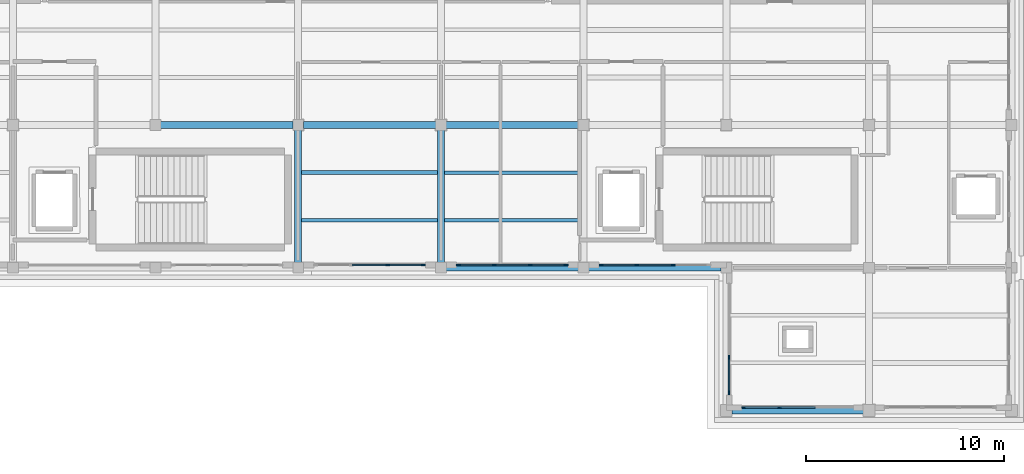
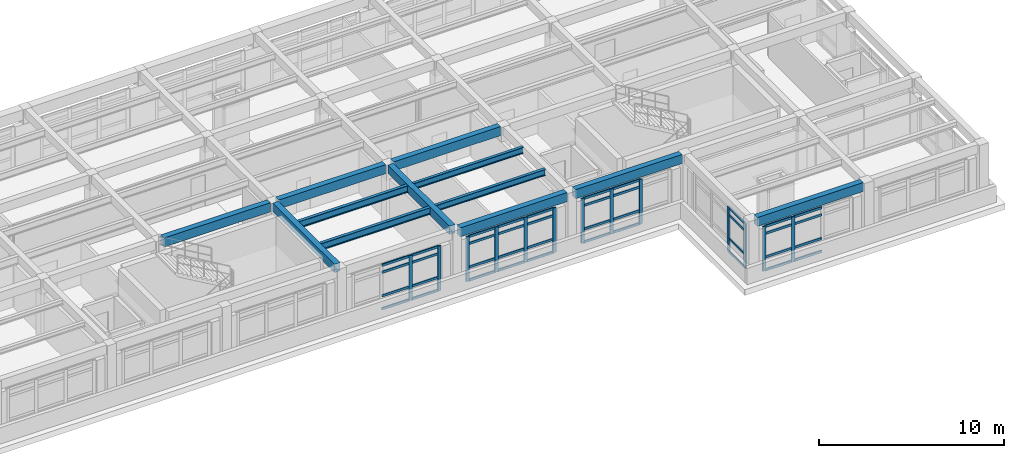
# One storey, part 5 of 21: 53 members, 12 beams, 5 elements without a shape of their own.
"""IFC4 building model written with IfcOpenShell, lengths in metres."""

from ifc_helpers import new_model, si_unit, direction, frame, origin, origin_2d, place, context, subcontext, project, spatial, rectangle, i_section, extrude, material, layer, layer_set, material_profile, profile_set, type_object, element, aggregate, save


model = new_model("IFC4")

# Units and contexts
model_context = context("Model", 3, precision=1e-05, world=origin(), true_north=direction((0.0, 1.0)))
body_context = subcontext(model_context, "Body", "Model", "MODEL_VIEW")
ifc_project = project(units=[si_unit("LENGTHUNIT", "METRE"), si_unit("AREAUNIT", "SQUARE_METRE"), si_unit("VOLUMEUNIT", "CUBIC_METRE"), si_unit("PLANEANGLEUNIT", "RADIAN"), si_unit("MASSUNIT", "GRAM", prefix="KILO")], contexts=[model_context])

# Site, building, storey
site_placement = place(None, origin())
site = spatial("IfcSite", under=ifc_project, at=site_placement, CompositionType="ELEMENT")
building_placement = place(site_placement, origin())
building = spatial("IfcBuilding", under=site, at=building_placement, Name="Solenvale Faculty of Natural Sciences", CompositionType="ELEMENT")
storey_placement = place(building_placement, frame((0.0, 0.0, 31.199951171875)))
storey = spatial("IfcBuildingStorey", under=building, at=storey_placement, Name="L07", CompositionType="ELEMENT", Elevation=31.199951171875)

# Beams
ifc_material_1 = material(Name="Concrete 40 MPa", Category="concrete")
ifc_material_profile_1 = material_profile(ifc_material_1, rectangle(XDim=0.35009765625, YDim=0.550048828125, at=origin_2d()), Name="RC-BM-350x550")
ifc_profile_set_1 = profile_set([ifc_material_profile_1], Name="Concrete 40 MPa")
beam_type_1 = type_object("IfcBeamType", Name="BM-RC-350x550", PredefinedType="BEAM", material=ifc_profile_set_1)
for number, where, z_axis, x_axis, name in (
    (1, (115.199951171875, 93.85498046875, 3.64501953125), (0.0, 1.0, 0.0), (-1.0, 0.0, 0.0), "L07 Y-Girder X115.2 (93.6..100.8)"),
    (2, (122.39990234375, 93.85498046875, 3.64501953125), (0.0, 1.0, 0.0), (-1.0, 0.0, 0.0), "L07 Y-Girder X122.4 (93.6..100.8)"),
):
    element("IfcBeam", number, at=place(storey_placement, frame(where, z_axis=z_axis, x_axis=x_axis)), inside=storey, type_object=beam_type_1, Name=name, PredefinedType="BEAM", context=body_context, shape_type="SweptSolid", body=[
        extrude(rectangle(XDim=0.35009765625, YDim=0.550048828125, at=origin_2d()), origin(), (0.0, 0.0, 1.0), 6.68994140625),
    ])
ifc_material_profile_2 = material_profile(ifc_material_1, rectangle(XDim=0.35009765625, YDim=0.60009765625, at=origin_2d()), Name="RC-BM-350x600")
ifc_profile_set_2 = profile_set([ifc_material_profile_2], Name="Concrete 40 MPa")
beam_type_2 = type_object("IfcBeamType", Name="BM-RC-350x600", PredefinedType="BEAM", material=ifc_profile_set_2)
beam_1_placement = place(storey_placement, frame((137.080078125, 86.39990234375, 3.6201171875), z_axis=(1.0, 0.0, 0.0), x_axis=(0.0, 1.0, 0.0)))
element("IfcBeam", 3, at=beam_1_placement, inside=storey, type_object=beam_type_2, Name="L07 X-Girder Y86.4 (136.8..144.0)", PredefinedType="BEAM", context=body_context, shape_type="SweptSolid", body=[
    extrude(rectangle(XDim=0.35009765625, YDim=0.60009765625, at=origin_2d()), origin(), (0.0, 0.0, 1.0), 6.639892578125),
])
for number, where, z_axis, x_axis, name in (
    (4, (122.655029296875, 93.60009765625, 3.6201171875), (1.0, 0.0, 0.0), (0.0, 1.0, 0.0), "L07 X-Girder Y93.6 (122.4..129.6)"),
    (5, (129.85498046875, 93.60009765625, 3.6201171875), (1.0, 0.0, 0.0), (0.0, 1.0, 0.0), "L07 X-Girder Y93.6 (129.6..136.8)"),
):
    element("IfcBeam", number, at=place(storey_placement, frame(where, z_axis=z_axis, x_axis=x_axis)), inside=storey, type_object=beam_type_2, Name=name, PredefinedType="BEAM", context=body_context, shape_type="SweptSolid", body=[
        extrude(rectangle(XDim=0.35009765625, YDim=0.60009765625, at=origin_2d()), origin(), (0.0, 0.0, 1.0), 6.68994140625),
    ])
beam_2_placement = place(storey_placement, frame((108.2548828125, 100.800048828125, 3.6201171875), z_axis=(1.0, 0.0, 0.0), x_axis=(0.0, 1.0, 0.0)))
element("IfcBeam", 6, at=beam_2_placement, inside=storey, type_object=beam_type_2, Name="L07 X-Girder Y100.8 (108.0..115.2)", PredefinedType="BEAM", context=body_context, shape_type="SweptSolid", body=[
    extrude(rectangle(XDim=0.35009765625, YDim=0.60009765625, at=origin_2d()), origin(), (0.0, 0.0, 1.0), 6.690185546875),
])
for number, where, z_axis, x_axis, name in (
    (7, (115.455078125, 100.800048828125, 3.6201171875), (1.0, 0.0, 0.0), (0.0, 1.0, 0.0), "L07 X-Girder Y100.8 (115.2..122.4)"),
    (8, (122.655029296875, 100.800048828125, 3.6201171875), (1.0, 0.0, 0.0), (0.0, 1.0, 0.0), "L07 X-Girder Y100.8 (122.4..129.6)"),
):
    element("IfcBeam", number, at=place(storey_placement, frame(where, z_axis=z_axis, x_axis=x_axis)), inside=storey, type_object=beam_type_2, Name=name, PredefinedType="BEAM", context=body_context, shape_type="SweptSolid", body=[
        extrude(rectangle(XDim=0.35009765625, YDim=0.60009765625, at=origin_2d()), origin(), (0.0, 0.0, 1.0), 6.68994140625),
    ])
ifc_material_2 = material(Name="Steel S355", Category="steel")
ifc_material_profile_3 = material_profile(ifc_material_2, i_section(OverallWidth=0.180908203125, OverallDepth=0.4169921875, WebThickness=0.010986328125, FlangeThickness=0.018310546875, FilletRadius=0.01611328125, at=origin_2d()), Name="W410x85")
ifc_profile_set_3 = profile_set([ifc_material_profile_3], Name="Steel S355")
beam_type_3 = type_object("IfcBeamType", Name="BM-STL-W410x85", PredefinedType="JOIST", material=ifc_profile_set_3)
for number, where, z_axis, x_axis, name in (
    (9, (122.554931640625, 96.0, 3.711669921875), (1.0, 0.0, 0.0), (0.0, 1.0, 0.0), "L07 Composite Floor Joist (18,14).1"),
    (10, (122.554931640625, 98.39990234375, 3.711669921875), (1.0, 0.0, 0.0), (0.0, 1.0, 0.0), "L07 Composite Floor Joist (18,14).2"),
):
    element("IfcBeam", number, at=place(storey_placement, frame(where, z_axis=z_axis, x_axis=x_axis)), inside=storey, type_object=beam_type_3, Name=name, PredefinedType="JOIST", context=body_context, shape_type="SweptSolid", body=[
        extrude(i_section(OverallWidth=0.180908203125, OverallDepth=0.4169921875, WebThickness=0.010986328125, FlangeThickness=0.018310546875, FilletRadius=0.01611328125, at=origin_2d()), origin(), (0.0, 0.0, 1.0), 6.89013671875),
    ])
ifc_material_profile_4 = material_profile(ifc_material_2, i_section(OverallWidth=0.19091796875, OverallDepth=0.4599609375, WebThickness=0.010009765625, FlangeThickness=0.01611328125, FilletRadius=0.01806640625, at=origin_2d()), Name="W460x82")
ifc_profile_set_4 = profile_set([ifc_material_profile_4], Name="Steel S355")
beam_type_4 = type_object("IfcBeamType", Name="BM-STL-W460x82", PredefinedType="JOIST", material=ifc_profile_set_4)
for number, where, z_axis, x_axis, name in (
    (11, (115.35498046875, 96.0, 3.68994140625), (1.0, 0.0, 0.0), (0.0, 1.0, 0.0), "L07 Composite Floor Joist (17,14).1"),
    (12, (115.35498046875, 98.39990234375, 3.68994140625), (1.0, 0.0, 0.0), (0.0, 1.0, 0.0), "L07 Composite Floor Joist (17,14).2"),
):
    element("IfcBeam", number, at=place(storey_placement, frame(where, z_axis=z_axis, x_axis=x_axis)), inside=storey, type_object=beam_type_4, Name=name, PredefinedType="JOIST", context=body_context, shape_type="SweptSolid", body=[
        extrude(i_section(OverallWidth=0.19091796875, OverallDepth=0.4599609375, WebThickness=0.010009765625, FlangeThickness=0.01611328125, FilletRadius=0.01806640625, at=origin_2d()), origin(), (0.0, 0.0, 1.0), 6.89013671875),
    ])

# Curtain wall, members
ifc_material_3 = material(Name="Anodised bronze aluminium", Category="aluminium")
ifc_layer = layer(ifc_material_3, 0.179931640625)
ifc_layer_set = layer_set([ifc_layer], Name="Anodised bronze aluminium")
curtain_wall_type = type_object("IfcCurtainWallType", Name="CW-TWR-MOD", PredefinedType="USERDEFINED", material=ifc_layer_set)
curtain_wall_1_placement = place(storey_placement, origin())
curtain_wall_1 = element("IfcCurtainWall", 13, at=curtain_wall_1_placement, inside=storey, type_object=curtain_wall_type, Name="L07 Curtain Wall CW-L07-P1-E4-B5", ObjectType="UNITISED CURTAIN WALL", PredefinedType="USERDEFINED")
ifc_material_profile_5 = material_profile(ifc_material_3, rectangle(XDim=0.074951171875, YDim=0.2099609375, at=origin_2d()), Name="ALU-MUL-75x210")
ifc_profile_set_5 = profile_set([ifc_material_profile_5], Name="Anodised bronze aluminium")
member_type_1 = type_object("IfcMemberType", Name="CWM-ALU-75x210", PredefinedType="MULLION", material=ifc_profile_set_5)
member_1_placement = place(storey_placement, frame((119.716552734375, 93.742431640625, 0.0), z_axis=(0.0, 0.0, 1.0), x_axis=(0.0, 1.0, 0.0)))
member_1 = element("IfcMember", 14, at=member_1_placement, type_object=member_type_1, Name="CW-04 mullion 3", PredefinedType="MULLION", context=body_context, shape_type="SweptSolid", body=[
    extrude(rectangle(XDim=0.074951171875, YDim=0.2099609375, at=origin_2d()), origin(), (0.0, 0.0, 1.0), 2.9599609375),
])
member_2_placement = place(storey_placement, frame((121.512451171875, 93.742431640625, 0.0), z_axis=(0.0, 0.0, 1.0), x_axis=(0.0, 1.0, 0.0)))
member_2 = element("IfcMember", 15, at=member_2_placement, type_object=member_type_1, Name="CW-04 mullion 4", PredefinedType="MULLION", context=body_context, shape_type="SweptSolid", body=[
    extrude(rectangle(XDim=0.074951171875, YDim=0.2099609375, at=origin_2d()), origin(), (0.0, 0.0, 1.0), 2.9599609375),
])

curtain_wall_2_placement = place(storey_placement, origin())
curtain_wall_2 = element("IfcCurtainWall", 16, at=curtain_wall_2_placement, inside=storey, type_object=curtain_wall_type, Name="L07 Curtain Wall CW-L07-P1-E4-B6", ObjectType="UNITISED CURTAIN WALL", PredefinedType="USERDEFINED")
member_3_placement = place(storey_placement, frame((123.28759765625, 93.742431640625, 0.0), z_axis=(0.0, 0.0, 1.0), x_axis=(0.0, 1.0, 0.0)))
member_3 = element("IfcMember", 17, at=member_3_placement, type_object=member_type_1, Name="CW-04 mullion 1", PredefinedType="MULLION", context=body_context, shape_type="SweptSolid", body=[
    extrude(rectangle(XDim=0.074951171875, YDim=0.2099609375, at=origin_2d()), origin(), (0.0, 0.0, 1.0), 2.9599609375),
])
member_4_placement = place(storey_placement, frame((125.083251953125, 93.742431640625, 0.0), z_axis=(0.0, 0.0, 1.0), x_axis=(0.0, 1.0, 0.0)))
member_4 = element("IfcMember", 18, at=member_4_placement, type_object=member_type_1, Name="CW-04 mullion 2", PredefinedType="MULLION", context=body_context, shape_type="SweptSolid", body=[
    extrude(rectangle(XDim=0.074951171875, YDim=0.2099609375, at=origin_2d()), origin(), (0.0, 0.0, 1.0), 2.9599609375),
])
member_5_placement = place(storey_placement, frame((126.916748046875, 93.742431640625, 0.0), z_axis=(0.0, 0.0, 1.0), x_axis=(0.0, 1.0, 0.0)))
member_5 = element("IfcMember", 19, at=member_5_placement, type_object=member_type_1, Name="CW-04 mullion 3", PredefinedType="MULLION", context=body_context, shape_type="SweptSolid", body=[
    extrude(rectangle(XDim=0.074951171875, YDim=0.2099609375, at=origin_2d()), origin(), (0.0, 0.0, 1.0), 2.9599609375),
])
member_6_placement = place(storey_placement, frame((128.71240234375, 93.742431640625, 0.0), z_axis=(0.0, 0.0, 1.0), x_axis=(0.0, 1.0, 0.0)))
member_6 = element("IfcMember", 20, at=member_6_placement, type_object=member_type_1, Name="CW-04 mullion 4", PredefinedType="MULLION", context=body_context, shape_type="SweptSolid", body=[
    extrude(rectangle(XDim=0.074951171875, YDim=0.2099609375, at=origin_2d()), origin(), (0.0, 0.0, 1.0), 2.9599609375),
])

curtain_wall_3_placement = place(storey_placement, origin())
curtain_wall_3 = element("IfcCurtainWall", 21, at=curtain_wall_3_placement, inside=storey, type_object=curtain_wall_type, Name="L07 Curtain Wall CW-L07-P1-E4-B7", ObjectType="UNITISED CURTAIN WALL", PredefinedType="USERDEFINED")
member_7_placement = place(storey_placement, frame((130.487548828125, 93.742431640625, 0.0), z_axis=(0.0, 0.0, 1.0), x_axis=(0.0, 1.0, 0.0)))
member_7 = element("IfcMember", 22, at=member_7_placement, type_object=member_type_1, Name="CW-04 mullion 1", PredefinedType="MULLION", context=body_context, shape_type="SweptSolid", body=[
    extrude(rectangle(XDim=0.074951171875, YDim=0.2099609375, at=origin_2d()), origin(), (0.0, 0.0, 1.0), 2.9599609375),
])
member_8_placement = place(storey_placement, frame((132.283447265625, 93.742431640625, 0.0), z_axis=(0.0, 0.0, 1.0), x_axis=(0.0, 1.0, 0.0)))
member_8 = element("IfcMember", 23, at=member_8_placement, type_object=member_type_1, Name="CW-04 mullion 2", PredefinedType="MULLION", context=body_context, shape_type="SweptSolid", body=[
    extrude(rectangle(XDim=0.074951171875, YDim=0.2099609375, at=origin_2d()), origin(), (0.0, 0.0, 1.0), 2.9599609375),
])
member_9_placement = place(storey_placement, frame((134.11669921875, 93.742431640625, 0.0), z_axis=(0.0, 0.0, 1.0), x_axis=(0.0, 1.0, 0.0)))
member_9 = element("IfcMember", 24, at=member_9_placement, type_object=member_type_1, Name="CW-04 mullion 3", PredefinedType="MULLION", context=body_context, shape_type="SweptSolid", body=[
    extrude(rectangle(XDim=0.074951171875, YDim=0.2099609375, at=origin_2d()), origin(), (0.0, 0.0, 1.0), 2.9599609375),
])

curtain_wall_4_placement = place(storey_placement, origin())
curtain_wall_4 = element("IfcCurtainWall", 25, at=curtain_wall_4_placement, inside=storey, type_object=curtain_wall_type, Name="L07 Curtain Wall CW-L07-P1-E5-B1", ObjectType="UNITISED CURTAIN WALL", PredefinedType="USERDEFINED")
member_10_placement = place(storey_placement, frame((136.9423828125, 89.083251953125, 0.0), z_axis=(0.0, 0.0, 1.0), x_axis=(1.0, 0.0, 0.0)))
member_10 = element("IfcMember", 26, at=member_10_placement, type_object=member_type_1, Name="CW-04 mullion 3", PredefinedType="MULLION", context=body_context, shape_type="SweptSolid", body=[
    extrude(rectangle(XDim=0.074951171875, YDim=0.2099609375, at=origin_2d()), origin(), (0.0, 0.0, 1.0), 2.9599609375),
])
member_11_placement = place(storey_placement, frame((136.9423828125, 87.28759765625, 0.0), z_axis=(0.0, 0.0, 1.0), x_axis=(1.0, 0.0, 0.0)))
member_11 = element("IfcMember", 27, at=member_11_placement, type_object=member_type_1, Name="CW-04 mullion 4", PredefinedType="MULLION", context=body_context, shape_type="SweptSolid", body=[
    extrude(rectangle(XDim=0.074951171875, YDim=0.2099609375, at=origin_2d()), origin(), (0.0, 0.0, 1.0), 2.9599609375),
])

curtain_wall_5_placement = place(storey_placement, origin())
curtain_wall_5 = element("IfcCurtainWall", 28, at=curtain_wall_5_placement, inside=storey, type_object=curtain_wall_type, Name="L07 Curtain Wall CW-L07-P1-E6-B1", ObjectType="UNITISED CURTAIN WALL", PredefinedType="USERDEFINED")
member_12_placement = place(storey_placement, frame((137.6875, 86.54248046875, 0.0), z_axis=(0.0, 0.0, 1.0), x_axis=(0.0, 1.0, 0.0)))
member_12 = element("IfcMember", 29, at=member_12_placement, type_object=member_type_1, Name="CW-04 mullion 1", PredefinedType="MULLION", context=body_context, shape_type="SweptSolid", body=[
    extrude(rectangle(XDim=0.074951171875, YDim=0.2099609375, at=origin_2d()), origin(), (0.0, 0.0, 1.0), 2.9599609375),
])
member_13_placement = place(storey_placement, frame((139.4833984375, 86.54248046875, 0.0), z_axis=(0.0, 0.0, 1.0), x_axis=(0.0, 1.0, 0.0)))
member_13 = element("IfcMember", 30, at=member_13_placement, type_object=member_type_1, Name="CW-04 mullion 2", PredefinedType="MULLION", context=body_context, shape_type="SweptSolid", body=[
    extrude(rectangle(XDim=0.074951171875, YDim=0.2099609375, at=origin_2d()), origin(), (0.0, 0.0, 1.0), 2.9599609375),
])

# Member
ifc_material_profile_6 = material_profile(ifc_material_3, rectangle(XDim=0.074951171875, YDim=0.155029296875, at=origin_2d()), Name="ALU-TRN-75x155")
ifc_profile_set_6 = profile_set([ifc_material_profile_6], Name="Anodised bronze aluminium")
member_type_2 = type_object("IfcMemberType", Name="CWT-ALU-75x155", PredefinedType="USERDEFINED", material=ifc_profile_set_6)
member_14_placement = place(storey_placement, frame((117.9208984375, 93.742431640625, 0.03759765625), z_axis=(1.0, 0.0, 0.0), x_axis=(0.0, 1.0, 0.0)))
member_14 = element("IfcMember", 31, at=member_14_placement, type_object=member_type_2, Name="CW-04 transom 2.1", ObjectType="TRANSOM", PredefinedType="USERDEFINED", context=body_context, shape_type="SweptSolid", body=[
    extrude(rectangle(XDim=0.074951171875, YDim=0.155029296875, at=origin_2d()), origin(), (0.0, 0.0, 1.0), 1.75830078125),
])

member_15_placement = place(storey_placement, frame((117.9208984375, 93.742431640625, 0.900146484375), z_axis=(1.0, 0.0, 0.0), x_axis=(0.0, 1.0, 0.0)))
member_15 = element("IfcMember", 32, at=member_15_placement, type_object=member_type_2, Name="CW-04 transom 2.2", ObjectType="TRANSOM", PredefinedType="USERDEFINED", context=body_context, shape_type="SweptSolid", body=[
    extrude(rectangle(XDim=0.074951171875, YDim=0.155029296875, at=origin_2d()), origin(), (0.0, 0.0, 1.0), 1.75830078125),
])

member_16_placement = place(storey_placement, frame((117.9208984375, 93.742431640625, 2.4599609375), z_axis=(1.0, 0.0, 0.0), x_axis=(0.0, 1.0, 0.0)))
member_16 = element("IfcMember", 33, at=member_16_placement, type_object=member_type_2, Name="CW-04 transom 2.3", ObjectType="TRANSOM", PredefinedType="USERDEFINED", context=body_context, shape_type="SweptSolid", body=[
    extrude(rectangle(XDim=0.074951171875, YDim=0.155029296875, at=origin_2d()), origin(), (0.0, 0.0, 1.0), 1.75830078125),
])

member_17_placement = place(storey_placement, frame((117.9208984375, 93.742431640625, 2.922607421875), z_axis=(1.0, 0.0, 0.0), x_axis=(0.0, 1.0, 0.0)))
member_17 = element("IfcMember", 34, at=member_17_placement, type_object=member_type_2, Name="CW-04 transom 2.4", ObjectType="TRANSOM", PredefinedType="USERDEFINED", context=body_context, shape_type="SweptSolid", body=[
    extrude(rectangle(XDim=0.074951171875, YDim=0.155029296875, at=origin_2d()), origin(), (0.0, 0.0, 1.0), 1.75830078125),
])

member_18_placement = place(storey_placement, frame((119.754150390625, 93.742431640625, 0.03759765625), z_axis=(1.0, 0.0, 0.0), x_axis=(0.0, 1.0, 0.0)))
member_18 = element("IfcMember", 35, at=member_18_placement, type_object=member_type_2, Name="CW-04 transom 3.1", ObjectType="TRANSOM", PredefinedType="USERDEFINED", context=body_context, shape_type="SweptSolid", body=[
    extrude(rectangle(XDim=0.074951171875, YDim=0.155029296875, at=origin_2d()), origin(), (0.0, 0.0, 1.0), 1.720947265625),
])

member_19_placement = place(storey_placement, frame((119.754150390625, 93.742431640625, 0.900146484375), z_axis=(1.0, 0.0, 0.0), x_axis=(0.0, 1.0, 0.0)))
member_19 = element("IfcMember", 36, at=member_19_placement, type_object=member_type_2, Name="CW-04 transom 3.2", ObjectType="TRANSOM", PredefinedType="USERDEFINED", context=body_context, shape_type="SweptSolid", body=[
    extrude(rectangle(XDim=0.074951171875, YDim=0.155029296875, at=origin_2d()), origin(), (0.0, 0.0, 1.0), 1.720947265625),
])

member_20_placement = place(storey_placement, frame((119.754150390625, 93.742431640625, 2.4599609375), z_axis=(1.0, 0.0, 0.0), x_axis=(0.0, 1.0, 0.0)))
member_20 = element("IfcMember", 37, at=member_20_placement, type_object=member_type_2, Name="CW-04 transom 3.3", ObjectType="TRANSOM", PredefinedType="USERDEFINED", context=body_context, shape_type="SweptSolid", body=[
    extrude(rectangle(XDim=0.074951171875, YDim=0.155029296875, at=origin_2d()), origin(), (0.0, 0.0, 1.0), 1.720947265625),
])

member_21_placement = place(storey_placement, frame((119.754150390625, 93.742431640625, 2.922607421875), z_axis=(1.0, 0.0, 0.0), x_axis=(0.0, 1.0, 0.0)))
member_21 = element("IfcMember", 38, at=member_21_placement, type_object=member_type_2, Name="CW-04 transom 3.4", ObjectType="TRANSOM", PredefinedType="USERDEFINED", context=body_context, shape_type="SweptSolid", body=[
    extrude(rectangle(XDim=0.074951171875, YDim=0.155029296875, at=origin_2d()), origin(), (0.0, 0.0, 1.0), 1.720947265625),
])

aggregate(curtain_wall_1, [member_1, member_2, member_14, member_15, member_16, member_17, member_18, member_19, member_20, member_21])

member_22_placement = place(storey_placement, frame((123.324951171875, 93.742431640625, 0.03759765625), z_axis=(1.0, 0.0, 0.0), x_axis=(0.0, 1.0, 0.0)))
member_22 = element("IfcMember", 39, at=member_22_placement, type_object=member_type_2, Name="CW-04 transom 1.1", ObjectType="TRANSOM", PredefinedType="USERDEFINED", context=body_context, shape_type="SweptSolid", body=[
    extrude(rectangle(XDim=0.074951171875, YDim=0.155029296875, at=origin_2d()), origin(), (0.0, 0.0, 1.0), 1.720947265625),
])

member_23_placement = place(storey_placement, frame((123.324951171875, 93.742431640625, 0.900146484375), z_axis=(1.0, 0.0, 0.0), x_axis=(0.0, 1.0, 0.0)))
member_23 = element("IfcMember", 40, at=member_23_placement, type_object=member_type_2, Name="CW-04 transom 1.2", ObjectType="TRANSOM", PredefinedType="USERDEFINED", context=body_context, shape_type="SweptSolid", body=[
    extrude(rectangle(XDim=0.074951171875, YDim=0.155029296875, at=origin_2d()), origin(), (0.0, 0.0, 1.0), 1.720947265625),
])

member_24_placement = place(storey_placement, frame((123.324951171875, 93.742431640625, 2.4599609375), z_axis=(1.0, 0.0, 0.0), x_axis=(0.0, 1.0, 0.0)))
member_24 = element("IfcMember", 41, at=member_24_placement, type_object=member_type_2, Name="CW-04 transom 1.3", ObjectType="TRANSOM", PredefinedType="USERDEFINED", context=body_context, shape_type="SweptSolid", body=[
    extrude(rectangle(XDim=0.074951171875, YDim=0.155029296875, at=origin_2d()), origin(), (0.0, 0.0, 1.0), 1.720947265625),
])

member_25_placement = place(storey_placement, frame((123.324951171875, 93.742431640625, 2.922607421875), z_axis=(1.0, 0.0, 0.0), x_axis=(0.0, 1.0, 0.0)))
member_25 = element("IfcMember", 42, at=member_25_placement, type_object=member_type_2, Name="CW-04 transom 1.4", ObjectType="TRANSOM", PredefinedType="USERDEFINED", context=body_context, shape_type="SweptSolid", body=[
    extrude(rectangle(XDim=0.074951171875, YDim=0.155029296875, at=origin_2d()), origin(), (0.0, 0.0, 1.0), 1.720947265625),
])

member_26_placement = place(storey_placement, frame((125.120849609375, 93.742431640625, 0.03759765625), z_axis=(1.0, 0.0, 0.0), x_axis=(0.0, 1.0, 0.0)))
member_26 = element("IfcMember", 43, at=member_26_placement, type_object=member_type_2, Name="CW-04 transom 2.1", ObjectType="TRANSOM", PredefinedType="USERDEFINED", context=body_context, shape_type="SweptSolid", body=[
    extrude(rectangle(XDim=0.074951171875, YDim=0.155029296875, at=origin_2d()), origin(), (0.0, 0.0, 1.0), 1.75830078125),
])

member_27_placement = place(storey_placement, frame((125.120849609375, 93.742431640625, 0.900146484375), z_axis=(1.0, 0.0, 0.0), x_axis=(0.0, 1.0, 0.0)))
member_27 = element("IfcMember", 44, at=member_27_placement, type_object=member_type_2, Name="CW-04 transom 2.2", ObjectType="TRANSOM", PredefinedType="USERDEFINED", context=body_context, shape_type="SweptSolid", body=[
    extrude(rectangle(XDim=0.074951171875, YDim=0.155029296875, at=origin_2d()), origin(), (0.0, 0.0, 1.0), 1.75830078125),
])

member_28_placement = place(storey_placement, frame((125.120849609375, 93.742431640625, 2.4599609375), z_axis=(1.0, 0.0, 0.0), x_axis=(0.0, 1.0, 0.0)))
member_28 = element("IfcMember", 45, at=member_28_placement, type_object=member_type_2, Name="CW-04 transom 2.3", ObjectType="TRANSOM", PredefinedType="USERDEFINED", context=body_context, shape_type="SweptSolid", body=[
    extrude(rectangle(XDim=0.074951171875, YDim=0.155029296875, at=origin_2d()), origin(), (0.0, 0.0, 1.0), 1.75830078125),
])

member_29_placement = place(storey_placement, frame((125.120849609375, 93.742431640625, 2.922607421875), z_axis=(1.0, 0.0, 0.0), x_axis=(0.0, 1.0, 0.0)))
member_29 = element("IfcMember", 46, at=member_29_placement, type_object=member_type_2, Name="CW-04 transom 2.4", ObjectType="TRANSOM", PredefinedType="USERDEFINED", context=body_context, shape_type="SweptSolid", body=[
    extrude(rectangle(XDim=0.074951171875, YDim=0.155029296875, at=origin_2d()), origin(), (0.0, 0.0, 1.0), 1.75830078125),
])

member_30_placement = place(storey_placement, frame((126.9541015625, 93.742431640625, 0.03759765625), z_axis=(1.0, 0.0, 0.0), x_axis=(0.0, 1.0, 0.0)))
member_30 = element("IfcMember", 47, at=member_30_placement, type_object=member_type_2, Name="CW-04 transom 3.1", ObjectType="TRANSOM", PredefinedType="USERDEFINED", context=body_context, shape_type="SweptSolid", body=[
    extrude(rectangle(XDim=0.074951171875, YDim=0.155029296875, at=origin_2d()), origin(), (0.0, 0.0, 1.0), 1.720947265625),
])

member_31_placement = place(storey_placement, frame((126.9541015625, 93.742431640625, 0.900146484375), z_axis=(1.0, 0.0, 0.0), x_axis=(0.0, 1.0, 0.0)))
member_31 = element("IfcMember", 48, at=member_31_placement, type_object=member_type_2, Name="CW-04 transom 3.2", ObjectType="TRANSOM", PredefinedType="USERDEFINED", context=body_context, shape_type="SweptSolid", body=[
    extrude(rectangle(XDim=0.074951171875, YDim=0.155029296875, at=origin_2d()), origin(), (0.0, 0.0, 1.0), 1.720947265625),
])

member_32_placement = place(storey_placement, frame((126.9541015625, 93.742431640625, 2.4599609375), z_axis=(1.0, 0.0, 0.0), x_axis=(0.0, 1.0, 0.0)))
member_32 = element("IfcMember", 49, at=member_32_placement, type_object=member_type_2, Name="CW-04 transom 3.3", ObjectType="TRANSOM", PredefinedType="USERDEFINED", context=body_context, shape_type="SweptSolid", body=[
    extrude(rectangle(XDim=0.074951171875, YDim=0.155029296875, at=origin_2d()), origin(), (0.0, 0.0, 1.0), 1.720947265625),
])

member_33_placement = place(storey_placement, frame((126.9541015625, 93.742431640625, 2.922607421875), z_axis=(1.0, 0.0, 0.0), x_axis=(0.0, 1.0, 0.0)))
member_33 = element("IfcMember", 50, at=member_33_placement, type_object=member_type_2, Name="CW-04 transom 3.4", ObjectType="TRANSOM", PredefinedType="USERDEFINED", context=body_context, shape_type="SweptSolid", body=[
    extrude(rectangle(XDim=0.074951171875, YDim=0.155029296875, at=origin_2d()), origin(), (0.0, 0.0, 1.0), 1.720947265625),
])

aggregate(curtain_wall_2, [member_3, member_4, member_5, member_6, member_22, member_23, member_24, member_25, member_26, member_27, member_28, member_29, member_30, member_31, member_32, member_33])

member_34_placement = place(storey_placement, frame((130.52490234375, 93.742431640625, 0.03759765625), z_axis=(1.0, 0.0, 0.0), x_axis=(0.0, 1.0, 0.0)))
member_34 = element("IfcMember", 51, at=member_34_placement, type_object=member_type_2, Name="CW-04 transom 1.1", ObjectType="TRANSOM", PredefinedType="USERDEFINED", context=body_context, shape_type="SweptSolid", body=[
    extrude(rectangle(XDim=0.074951171875, YDim=0.155029296875, at=origin_2d()), origin(), (0.0, 0.0, 1.0), 1.720947265625),
])

member_35_placement = place(storey_placement, frame((130.52490234375, 93.742431640625, 0.900146484375), z_axis=(1.0, 0.0, 0.0), x_axis=(0.0, 1.0, 0.0)))
member_35 = element("IfcMember", 52, at=member_35_placement, type_object=member_type_2, Name="CW-04 transom 1.2", ObjectType="TRANSOM", PredefinedType="USERDEFINED", context=body_context, shape_type="SweptSolid", body=[
    extrude(rectangle(XDim=0.074951171875, YDim=0.155029296875, at=origin_2d()), origin(), (0.0, 0.0, 1.0), 1.720947265625),
])

member_36_placement = place(storey_placement, frame((130.52490234375, 93.742431640625, 2.4599609375), z_axis=(1.0, 0.0, 0.0), x_axis=(0.0, 1.0, 0.0)))
member_36 = element("IfcMember", 53, at=member_36_placement, type_object=member_type_2, Name="CW-04 transom 1.3", ObjectType="TRANSOM", PredefinedType="USERDEFINED", context=body_context, shape_type="SweptSolid", body=[
    extrude(rectangle(XDim=0.074951171875, YDim=0.155029296875, at=origin_2d()), origin(), (0.0, 0.0, 1.0), 1.720947265625),
])

member_37_placement = place(storey_placement, frame((130.52490234375, 93.742431640625, 2.922607421875), z_axis=(1.0, 0.0, 0.0), x_axis=(0.0, 1.0, 0.0)))
member_37 = element("IfcMember", 54, at=member_37_placement, type_object=member_type_2, Name="CW-04 transom 1.4", ObjectType="TRANSOM", PredefinedType="USERDEFINED", context=body_context, shape_type="SweptSolid", body=[
    extrude(rectangle(XDim=0.074951171875, YDim=0.155029296875, at=origin_2d()), origin(), (0.0, 0.0, 1.0), 1.720947265625),
])

member_38_placement = place(storey_placement, frame((132.32080078125, 93.742431640625, 0.03759765625), z_axis=(1.0, 0.0, 0.0), x_axis=(0.0, 1.0, 0.0)))
member_38 = element("IfcMember", 55, at=member_38_placement, type_object=member_type_2, Name="CW-04 transom 2.1", ObjectType="TRANSOM", PredefinedType="USERDEFINED", context=body_context, shape_type="SweptSolid", body=[
    extrude(rectangle(XDim=0.074951171875, YDim=0.155029296875, at=origin_2d()), origin(), (0.0, 0.0, 1.0), 1.75830078125),
])

member_39_placement = place(storey_placement, frame((132.32080078125, 93.742431640625, 0.900146484375), z_axis=(1.0, 0.0, 0.0), x_axis=(0.0, 1.0, 0.0)))
member_39 = element("IfcMember", 56, at=member_39_placement, type_object=member_type_2, Name="CW-04 transom 2.2", ObjectType="TRANSOM", PredefinedType="USERDEFINED", context=body_context, shape_type="SweptSolid", body=[
    extrude(rectangle(XDim=0.074951171875, YDim=0.155029296875, at=origin_2d()), origin(), (0.0, 0.0, 1.0), 1.75830078125),
])

member_40_placement = place(storey_placement, frame((132.32080078125, 93.742431640625, 2.4599609375), z_axis=(1.0, 0.0, 0.0), x_axis=(0.0, 1.0, 0.0)))
member_40 = element("IfcMember", 57, at=member_40_placement, type_object=member_type_2, Name="CW-04 transom 2.3", ObjectType="TRANSOM", PredefinedType="USERDEFINED", context=body_context, shape_type="SweptSolid", body=[
    extrude(rectangle(XDim=0.074951171875, YDim=0.155029296875, at=origin_2d()), origin(), (0.0, 0.0, 1.0), 1.75830078125),
])

member_41_placement = place(storey_placement, frame((132.32080078125, 93.742431640625, 2.922607421875), z_axis=(1.0, 0.0, 0.0), x_axis=(0.0, 1.0, 0.0)))
member_41 = element("IfcMember", 58, at=member_41_placement, type_object=member_type_2, Name="CW-04 transom 2.4", ObjectType="TRANSOM", PredefinedType="USERDEFINED", context=body_context, shape_type="SweptSolid", body=[
    extrude(rectangle(XDim=0.074951171875, YDim=0.155029296875, at=origin_2d()), origin(), (0.0, 0.0, 1.0), 1.75830078125),
])

aggregate(curtain_wall_3, [member_7, member_8, member_9, member_34, member_35, member_36, member_37, member_38, member_39, member_40, member_41])

member_42_placement = place(storey_placement, frame((136.9423828125, 89.0458984375, 0.03759765625), z_axis=(0.0, -1.0, 0.0), x_axis=(1.0, 0.0, 0.0)))
member_42 = element("IfcMember", 59, at=member_42_placement, type_object=member_type_2, Name="CW-04 transom 3.1", ObjectType="TRANSOM", PredefinedType="USERDEFINED", context=body_context, shape_type="SweptSolid", body=[
    extrude(rectangle(XDim=0.074951171875, YDim=0.155029296875, at=origin_2d()), origin(), (0.0, 0.0, 1.0), 1.720947265625),
])

member_43_placement = place(storey_placement, frame((136.9423828125, 89.0458984375, 0.900146484375), z_axis=(0.0, -1.0, 0.0), x_axis=(1.0, 0.0, 0.0)))
member_43 = element("IfcMember", 60, at=member_43_placement, type_object=member_type_2, Name="CW-04 transom 3.2", ObjectType="TRANSOM", PredefinedType="USERDEFINED", context=body_context, shape_type="SweptSolid", body=[
    extrude(rectangle(XDim=0.074951171875, YDim=0.155029296875, at=origin_2d()), origin(), (0.0, 0.0, 1.0), 1.720947265625),
])

member_44_placement = place(storey_placement, frame((136.9423828125, 89.0458984375, 2.4599609375), z_axis=(0.0, -1.0, 0.0), x_axis=(1.0, 0.0, 0.0)))
member_44 = element("IfcMember", 61, at=member_44_placement, type_object=member_type_2, Name="CW-04 transom 3.3", ObjectType="TRANSOM", PredefinedType="USERDEFINED", context=body_context, shape_type="SweptSolid", body=[
    extrude(rectangle(XDim=0.074951171875, YDim=0.155029296875, at=origin_2d()), origin(), (0.0, 0.0, 1.0), 1.720947265625),
])

member_45_placement = place(storey_placement, frame((136.9423828125, 89.0458984375, 2.922607421875), z_axis=(0.0, -1.0, 0.0), x_axis=(1.0, 0.0, 0.0)))
member_45 = element("IfcMember", 62, at=member_45_placement, type_object=member_type_2, Name="CW-04 transom 3.4", ObjectType="TRANSOM", PredefinedType="USERDEFINED", context=body_context, shape_type="SweptSolid", body=[
    extrude(rectangle(XDim=0.074951171875, YDim=0.155029296875, at=origin_2d()), origin(), (0.0, 0.0, 1.0), 1.720947265625),
])

aggregate(curtain_wall_4, [member_10, member_11, member_42, member_43, member_44, member_45])

member_46_placement = place(storey_placement, frame((137.72509765625, 86.54248046875, 0.03759765625), z_axis=(1.0, 0.0, 0.0), x_axis=(0.0, 1.0, 0.0)))
member_46 = element("IfcMember", 63, at=member_46_placement, type_object=member_type_2, Name="CW-04 transom 1.1", ObjectType="TRANSOM", PredefinedType="USERDEFINED", context=body_context, shape_type="SweptSolid", body=[
    extrude(rectangle(XDim=0.074951171875, YDim=0.155029296875, at=origin_2d()), origin(), (0.0, 0.0, 1.0), 1.720703125),
])

member_47_placement = place(storey_placement, frame((137.72509765625, 86.54248046875, 0.900146484375), z_axis=(1.0, 0.0, 0.0), x_axis=(0.0, 1.0, 0.0)))
member_47 = element("IfcMember", 64, at=member_47_placement, type_object=member_type_2, Name="CW-04 transom 1.2", ObjectType="TRANSOM", PredefinedType="USERDEFINED", context=body_context, shape_type="SweptSolid", body=[
    extrude(rectangle(XDim=0.074951171875, YDim=0.155029296875, at=origin_2d()), origin(), (0.0, 0.0, 1.0), 1.720703125),
])

member_48_placement = place(storey_placement, frame((137.72509765625, 86.54248046875, 2.4599609375), z_axis=(1.0, 0.0, 0.0), x_axis=(0.0, 1.0, 0.0)))
member_48 = element("IfcMember", 65, at=member_48_placement, type_object=member_type_2, Name="CW-04 transom 1.3", ObjectType="TRANSOM", PredefinedType="USERDEFINED", context=body_context, shape_type="SweptSolid", body=[
    extrude(rectangle(XDim=0.074951171875, YDim=0.155029296875, at=origin_2d()), origin(), (0.0, 0.0, 1.0), 1.720703125),
])

member_49_placement = place(storey_placement, frame((137.72509765625, 86.54248046875, 2.922607421875), z_axis=(1.0, 0.0, 0.0), x_axis=(0.0, 1.0, 0.0)))
member_49 = element("IfcMember", 66, at=member_49_placement, type_object=member_type_2, Name="CW-04 transom 1.4", ObjectType="TRANSOM", PredefinedType="USERDEFINED", context=body_context, shape_type="SweptSolid", body=[
    extrude(rectangle(XDim=0.074951171875, YDim=0.155029296875, at=origin_2d()), origin(), (0.0, 0.0, 1.0), 1.720703125),
])

member_50_placement = place(storey_placement, frame((139.520751953125, 86.54248046875, 0.03759765625), z_axis=(1.0, 0.0, 0.0), x_axis=(0.0, 1.0, 0.0)))
member_50 = element("IfcMember", 67, at=member_50_placement, type_object=member_type_2, Name="CW-04 transom 2.1", ObjectType="TRANSOM", PredefinedType="USERDEFINED", context=body_context, shape_type="SweptSolid", body=[
    extrude(rectangle(XDim=0.074951171875, YDim=0.155029296875, at=origin_2d()), origin(), (0.0, 0.0, 1.0), 1.75830078125),
])

member_51_placement = place(storey_placement, frame((139.520751953125, 86.54248046875, 0.900146484375), z_axis=(1.0, 0.0, 0.0), x_axis=(0.0, 1.0, 0.0)))
member_51 = element("IfcMember", 68, at=member_51_placement, type_object=member_type_2, Name="CW-04 transom 2.2", ObjectType="TRANSOM", PredefinedType="USERDEFINED", context=body_context, shape_type="SweptSolid", body=[
    extrude(rectangle(XDim=0.074951171875, YDim=0.155029296875, at=origin_2d()), origin(), (0.0, 0.0, 1.0), 1.75830078125),
])

member_52_placement = place(storey_placement, frame((139.520751953125, 86.54248046875, 2.4599609375), z_axis=(1.0, 0.0, 0.0), x_axis=(0.0, 1.0, 0.0)))
member_52 = element("IfcMember", 69, at=member_52_placement, type_object=member_type_2, Name="CW-04 transom 2.3", ObjectType="TRANSOM", PredefinedType="USERDEFINED", context=body_context, shape_type="SweptSolid", body=[
    extrude(rectangle(XDim=0.074951171875, YDim=0.155029296875, at=origin_2d()), origin(), (0.0, 0.0, 1.0), 1.75830078125),
])

member_53_placement = place(storey_placement, frame((139.520751953125, 86.54248046875, 2.922607421875), z_axis=(1.0, 0.0, 0.0), x_axis=(0.0, 1.0, 0.0)))
member_53 = element("IfcMember", 70, at=member_53_placement, type_object=member_type_2, Name="CW-04 transom 2.4", ObjectType="TRANSOM", PredefinedType="USERDEFINED", context=body_context, shape_type="SweptSolid", body=[
    extrude(rectangle(XDim=0.074951171875, YDim=0.155029296875, at=origin_2d()), origin(), (0.0, 0.0, 1.0), 1.75830078125),
])

aggregate(curtain_wall_5, [member_12, member_13, member_46, member_47, member_48, member_49, member_50, member_51, member_52, member_53])

save(model, "model.ifc")
